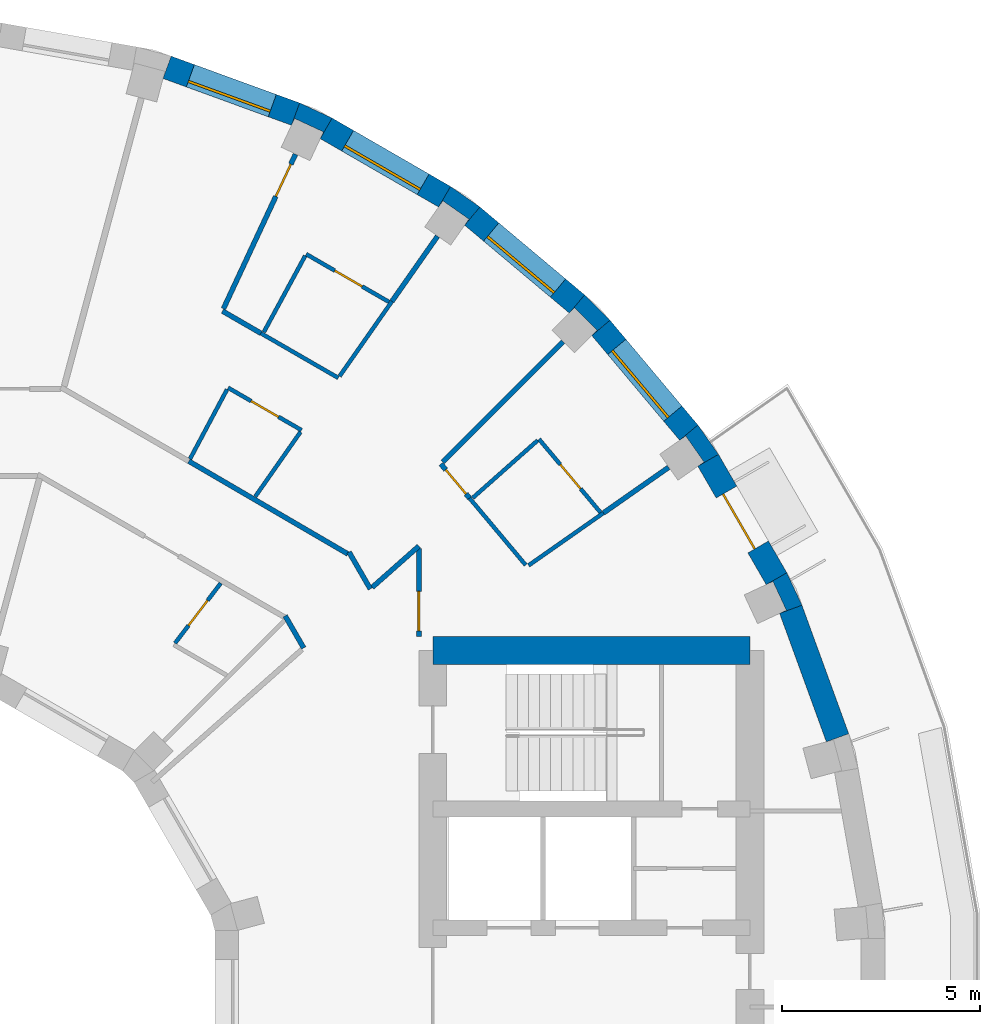
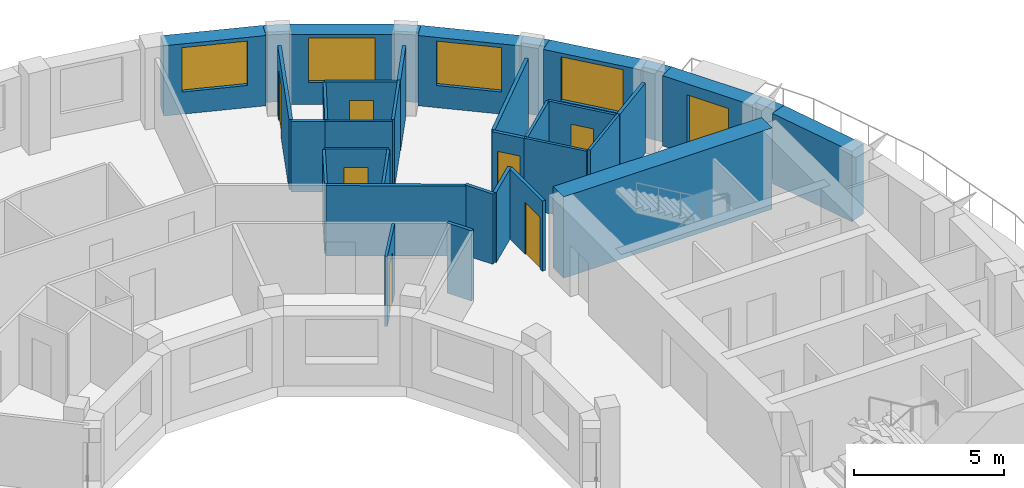
# One storey, part 9 of 11: 35 walls, 8 doors, 4 windows, 12 openings.
"""IFC4 building model written with IfcOpenShell, lengths in metres."""

import ifcopenshell
import ifcopenshell.guid

model = None  # the IFC model being written
_history = None  # IfcOwnerHistory: only IFC2X3 demands one
_inside = {}  # id of a spatial element -> (the spatial element, [elements in it])
_under = {}  # id of a project, library or spatial element -> (it, [spatial elements below it])
_declared = {}  # id of a project -> (the project, [libraries it declares])
_typed = {}  # id of a type object -> (the type object, [elements of that type])
_made_of = {}  # id of a material, layer set ... -> (it, [elements and type objects made of it])


def new_model(schema):
    """Start an empty IFC model of exactly this schema.

    Asked for "IFC4X3", IfcOpenShell would pick the latest addendum, in which some entities
    have other attributes; the version numbers below select the first issue.
    IFC2X3 requires an IfcOwnerHistory on every rooted entity: one is made here for all.
    """
    global model, _history
    if schema == "IFC4X3":
        model = ifcopenshell.file(schema_version=(4, 3, 0, 0))
    else:
        model = ifcopenshell.file(schema=schema)
    _inside.clear()
    _under.clear()
    _declared.clear()
    _typed.clear()
    _made_of.clear()
    _history = None
    if model.schema == "IFC2X3":
        org = make("IfcOrganization", Name="unknown")
        user = make(
            "IfcPersonAndOrganization",
            ThePerson=make("IfcPerson", FamilyName="unknown"),
            TheOrganization=org,
        )
        app = make(
            "IfcApplication",
            ApplicationDeveloper=org,
            Version="unknown",
            ApplicationFullName="unknown",
            ApplicationIdentifier="unknown",
        )
        _history = make(
            "IfcOwnerHistory",
            OwningUser=user,
            OwningApplication=app,
            ChangeAction="ADDED",
            CreationDate=0,
        )
    return model


def make(cls, **values):
    """One entity of the class cls with the attributes given. An attribute that is None is left unset."""
    return model.create_entity(
        cls, **{name: value for name, value in values.items() if value is not None}
    )


def rooted(cls, **values):
    """An entity with a GlobalId (a new one), such as an element, a storey or a relation."""
    return make(cls, GlobalId=ifcopenshell.guid.new(), OwnerHistory=_history, **values)


def si_unit(unit_type, name, prefix=None):
    """IfcSIUnit, for example si_unit("LENGTHUNIT", "METRE", prefix="MILLI")."""
    return make("IfcSIUnit", UnitType=unit_type, Prefix=prefix, Name=name)


def assignment(units):
    """IfcUnitAssignment: the units of a project."""
    return None if units is None else make("IfcUnitAssignment", Units=units)


def point(xyz):
    """IfcCartesianPoint."""
    return None if xyz is None else make("IfcCartesianPoint", Coordinates=xyz)


def direction(xyz):
    """IfcDirection."""
    return None if xyz is None else make("IfcDirection", DirectionRatios=xyz)


def frame(location, z_axis=None, x_axis=None):
    """IfcAxis2Placement3D, a coordinate frame: its origin and axes. An axis left out is left unset."""
    return make(
        "IfcAxis2Placement3D",
        Location=point(location),
        Axis=direction(z_axis),
        RefDirection=direction(x_axis),
    )


def frame_2d(location, x_axis=None):
    """IfcAxis2Placement2D, a coordinate frame in the plane: its origin and x axis."""
    return make(
        "IfcAxis2Placement2D", Location=point(location), RefDirection=direction(x_axis)
    )


def origin():
    """The frame at (0, 0, 0) with its axes left unset."""
    return frame((0.0, 0.0, 0.0))


def place(relative_to, where):
    """IfcLocalPlacement: puts the frame where relative to a parent placement (None: the world)."""
    return make(
        "IfcLocalPlacement", PlacementRelTo=relative_to, RelativePlacement=where
    )


def context(
    kind, dimensions, precision=None, world=None, true_north=None, identifier=None
):
    """IfcGeometricRepresentationContext, for example the 3D "Model" context."""
    return make(
        "IfcGeometricRepresentationContext",
        ContextIdentifier=identifier,
        ContextType=kind,
        CoordinateSpaceDimension=dimensions,
        Precision=precision,
        WorldCoordinateSystem=world,
        TrueNorth=true_north,
    )


def subcontext(parent, identifier, kind, view, scale=None):
    """IfcGeometricRepresentationSubContext, for example "Body" below "Model"."""
    return make(
        "IfcGeometricRepresentationSubContext",
        ContextIdentifier=identifier,
        ContextType=kind,
        ParentContext=parent,
        TargetScale=scale,
        TargetView=view,
    )


def project(units=None, contexts=None):
    """IfcProject with its units and contexts."""
    return rooted(
        "IfcProject",
        Name="project",
        RepresentationContexts=contexts,
        UnitsInContext=assignment(units),
    )


def spatial(cls, under=None, at=None, **own):
    """A site, building, storey or space (cls), placed at a placement, below another one or the project."""
    s = rooted(cls, ObjectPlacement=at, **own)
    if under is not None:
        _under.setdefault(under.id(), (under, []))[1].append(s)
    return s


def polyline(points):
    """IfcPolyline through the points."""
    return make("IfcPolyline", Points=[point(p) for p in points])


def profile(cls, at=None, kind="AREA", **sizes):
    """A parametric profile (cls). Its sizes go by their IFC names, for example OverallWidth=200.0."""
    return make(cls, ProfileType=kind, Position=at, **sizes)


def rectangle(**sizes):
    """IfcRectangleProfileDef."""
    return profile("IfcRectangleProfileDef", **sizes)


def outline(outer, holes=None, kind="AREA"):
    """IfcArbitraryClosedProfileDef: a profile drawn as a closed curve; with holes, ...WithVoids."""
    if holes is None:
        return make("IfcArbitraryClosedProfileDef", ProfileType=kind, OuterCurve=outer)
    return make(
        "IfcArbitraryProfileDefWithVoids",
        ProfileType=kind,
        OuterCurve=outer,
        InnerCurves=holes,
    )


def extrude(swept, where, along, depth):
    """IfcExtrudedAreaSolid: the profile swept, set in the frame where, extruded along a direction by depth."""
    return make(
        "IfcExtrudedAreaSolid",
        SweptArea=swept,
        Position=where,
        ExtrudedDirection=direction(along),
        Depth=depth,
    )


def shape(context_of_items, identifier, shape_type, items):
    """IfcShapeRepresentation: the items that make up one representation, for example the "Body"."""
    return make(
        "IfcShapeRepresentation",
        ContextOfItems=context_of_items,
        RepresentationIdentifier=identifier,
        RepresentationType=shape_type,
        Items=items,
    )


def material(Name=None, Category=None):
    """IfcMaterial."""
    return make("IfcMaterial", Name=Name, Category=Category)


def layer(
    of_material, thickness, ventilated=None, Name=None, Category=None, Priority=None
):
    """IfcMaterialLayer: one layer of a wall or slab, of a material (None: an air gap)."""
    return make(
        "IfcMaterialLayer",
        Material=of_material,
        LayerThickness=thickness,
        IsVentilated=ventilated,
        Name=Name,
        Category=Category,
        Priority=Priority,
    )


def layer_set(layers, Name=None):
    """IfcMaterialLayerSet."""
    return make("IfcMaterialLayerSet", MaterialLayers=layers, LayerSetName=Name)


def made_of(thing, what):
    """Note that an element or type object is made of a material, layer set ...; save() writes the relation."""
    if what is not None:
        _made_of.setdefault(what.id(), (what, []))[1].append(thing)
    return thing


def type_object(cls, material=None, **own):
    """A type object (cls), such as IfcWallType, which elements share."""
    return made_of(rooted(cls, **own), material)


def element(
    cls,
    number,
    at=None,
    inside=None,
    cuts=None,
    type_object=None,
    material=None,
    context=None,
    identifier="Body",
    shape_type=None,
    held_by="IfcProductDefinitionShape",
    body=None,
    shapes=None,
    **own,
):
    """One element of the class cls, such as IfcWall. Its Tag is "e" and its number.

    at: its placement. inside: the storey or other place that contains it. cuts: it is an
    opening in that element (IfcRelVoidsElement). A single representation is given by context,
    identifier, shape_type and body (its items); several are given by shapes. held_by: the class
    of the entity that holds the representations. save() writes the other relations.
    """
    e = rooted(cls, Tag="e%d" % number, ObjectPlacement=at, **own)
    if body is not None:
        shapes = [shape(context, identifier, shape_type, body)]
    if shapes is not None:
        e.Representation = make(held_by, Representations=shapes)
    if inside is not None:
        _inside.setdefault(inside.id(), (inside, []))[1].append(e)
    if cuts is not None:
        rooted(
            "IfcRelVoidsElement", RelatingBuildingElement=cuts, RelatedOpeningElement=e
        )
    if type_object is not None:
        _typed.setdefault(type_object.id(), (type_object, []))[1].append(e)
    return made_of(e, material)


def fill(opening, filler):
    """IfcRelFillsElement: the door or window that sits in an opening."""
    return rooted(
        "IfcRelFillsElement",
        RelatingOpeningElement=opening,
        RelatedBuildingElement=filler,
    )


def aggregate(whole, parts):
    """IfcRelAggregates: a whole, such as a stair, and the parts it consists of."""
    return rooted("IfcRelAggregates", RelatingObject=whole, RelatedObjects=parts)


def save(model, path):
    """Write the relations noted so far, then the file.

    IfcRelAggregates (storeys below a building ...), IfcRelContainedInSpatialStructure (elements
    in a storey), IfcRelDefinesByType, IfcRelAssociatesMaterial and IfcRelDeclares: one each for
    every whole, place, type object, material and project.
    """
    for whole, parts in _under.values():
        aggregate(whole, parts)
    for where, things in _inside.values():
        rooted(
            "IfcRelContainedInSpatialStructure",
            RelatedElements=things,
            RelatingStructure=where,
        )
    for kind, things in _typed.values():
        rooted("IfcRelDefinesByType", RelatedObjects=things, RelatingType=kind)
    for what, things in _made_of.values():
        rooted("IfcRelAssociatesMaterial", RelatedObjects=things, RelatingMaterial=what)
    for by, libraries in _declared.values():
        rooted("IfcRelDeclares", RelatingContext=by, RelatedDefinitions=libraries)
    model.write(path)


model = new_model("IFC4")

# Units and contexts
model_context = context("Model", 3, precision=1e-05, world=origin(), true_north=direction((0.0, 1.0)))
body_context = subcontext(model_context, "Body", "Model", "MODEL_VIEW")
ifc_project = project(units=[si_unit("LENGTHUNIT", "METRE"), si_unit("AREAUNIT", "SQUARE_METRE"), si_unit("VOLUMEUNIT", "CUBIC_METRE"), si_unit("PLANEANGLEUNIT", "RADIAN"), si_unit("MASSUNIT", "GRAM", prefix="KILO")], contexts=[model_context])

# Site, building, storey
site_placement = place(None, origin())
site = spatial("IfcSite", under=ifc_project, at=site_placement, CompositionType="ELEMENT")
building_placement = place(site_placement, origin())
building = spatial("IfcBuilding", under=site, at=building_placement, Name="Saqina Gate Tower", CompositionType="ELEMENT")
storey_placement = place(building_placement, frame((0.0, 0.0, 180.60009765625)))
storey = spatial("IfcBuildingStorey", under=building, at=storey_placement, Name="L51", CompositionType="ELEMENT", Elevation=180.60009765625)

# Walls
ifc_material_1 = material(Name="Brick masonry (buff)", Category="masonry")
wall_type_1 = type_object("IfcWallType", Name="BRICK PIER COPING BUFF", PredefinedType="SOLIDWALL", material=ifc_material_1)
wall_1_placement = place(storey_placement, origin())
element("IfcWall", 1, at=wall_1_placement, inside=storey, type_object=wall_type_1, Name="Pier cap L51 column 3", PredefinedType="SOLIDWALL", context=body_context, shape_type="SweptSolid", body=[
    extrude(outline(polyline([(22.4306640625, 10.958740234375), (21.9111328125, 10.65869140625), (22.080810546875, 10.73779296875), (22.4189453125, 10.0126953125), (22.249267578125, 9.93359375), (22.81298828125, 10.138916015625), (22.4306640625, 10.958740234375)])), origin(), (0.0, 0.0, 1.0), 2.849853515625),
])
wall_2_placement = place(storey_placement, origin())
element("IfcWall", 2, at=wall_2_placement, inside=storey, type_object=wall_type_1, Name="Pier cap L51 column 4", PredefinedType="SOLIDWALL", context=body_context, shape_type="SweptSolid", body=[
    extrude(outline(polyline([(20.705810546875, 13.9462890625), (20.18701171875, 14.687255859375), (19.727294921875, 14.301513671875), (19.880859375, 14.408935546875), (20.339599609375, 13.753662109375), (20.186279296875, 13.646240234375), (20.705810546875, 13.9462890625)])), origin(), (0.0, 0.0, 1.0), 2.849853515625),
])
wall_3_placement = place(storey_placement, origin())
element("IfcWall", 3, at=wall_3_placement, inside=storey, type_object=wall_type_1, Name="Pier cap L51 column 5", PredefinedType="SOLIDWALL", context=body_context, shape_type="SweptSolid", body=[
    extrude(outline(polyline([(17.329833984375, 17.969482421875), (16.944091796875, 17.510009765625), (17.07666015625, 17.642333984375), (17.642333984375, 17.07666015625), (17.510009765625, 16.944091796875), (17.969482421875, 17.329833984375), (17.329833984375, 17.969482421875)])), origin(), (0.0, 0.0, 1.0), 2.849853515625),
])
wall_4_placement = place(storey_placement, origin())
element("IfcWall", 4, at=wall_4_placement, inside=storey, type_object=wall_type_1, Name="Pier cap L51 column 6", PredefinedType="SOLIDWALL", context=body_context, shape_type="SweptSolid", body=[
    extrude(outline(polyline([(14.687255859375, 20.18701171875), (13.9462890625, 20.705810546875), (13.646240234375, 20.186279296875), (13.753662109375, 20.339599609375), (14.408935546875, 19.880859375), (14.301513671875, 19.727294921875), (14.687255859375, 20.18701171875)])), origin(), (0.0, 0.0, 1.0), 2.849853515625),
])
wall_5_placement = place(storey_placement, origin())
element("IfcWall", 5, at=wall_5_placement, inside=storey, type_object=wall_type_1, Name="Pier cap L51 column 7", PredefinedType="SOLIDWALL", context=body_context, shape_type="SweptSolid", body=[
    extrude(outline(polyline([(10.138916015625, 22.81298828125), (9.93359375, 22.249267578125), (10.0126953125, 22.4189453125), (10.73779296875, 22.080810546875), (10.65869140625, 21.9111328125), (10.958740234375, 22.4306640625), (10.138916015625, 22.81298828125)])), origin(), (0.0, 0.0, 1.0), 2.849853515625),
])

# Wall, opening, door
ifc_material_2 = material(Name="Brick masonry (buff)", Category="masonry")
ifc_layer_1 = layer(ifc_material_2, 0.60009765625)
ifc_layer_set_1 = layer_set([ifc_layer_1], Name="FW-BRICK-BUFF")
wall_type_2 = type_object("IfcWallType", Name="FW-BRICK-BUFF", PredefinedType="SOLIDWALL", material=ifc_layer_set_1)
wall_6_placement = place(storey_placement, frame((22.1708984375, 10.80859375, 0.0), z_axis=(0.0, 0.0, 1.0), x_axis=(-0.499998129301, 0.86602648383, 0.0)))
wall_6 = element("IfcWall", 6, at=wall_6_placement, inside=storey, type_object=wall_type_2, Name="Facade wall L51 facet 3", PredefinedType="SOLIDWALL", context=body_context, shape_type="SweptSolid", body=[
    extrude(rectangle(XDim=3.44970703125, YDim=0.60009765625, at=frame_2d((1.724853515625, 0.0))), origin(), (0.0, 0.0, 1.0), 2.849853515625),
])
opening_1_placement = place(wall_6_placement, frame((0.9248046875, 0.0, 0.0)))
opening_1 = element("IfcOpeningElement", 7, at=opening_1_placement, cuts=wall_6, Name="Opening G15-D80", PredefinedType="OPENING", context=body_context, shape_type="SweptSolid", body=[
    extrude(rectangle(XDim=1.60009765625, YDim=2.39990234375, at=frame_2d((0.800048828125, 1.199951171875))), frame((0.0, 0.31201171875, 0.0), z_axis=(0.0, -1.0, 0.0), x_axis=(1.0, 0.0, 0.0)), (0.0, 0.0, 1.0), 0.6240234375),
])
ifc_material_3 = material(Name="Aluminium glazing", Category="aluminium")
door_type_1 = type_object("IfcDoorType", Name="GD-C", OperationType="DOUBLE_DOOR_SINGLE_SWING", PredefinedType="DOOR", material=ifc_material_3)
door_1_placement = place(opening_1_placement, origin())
door_1 = element("IfcDoor", 8, at=door_1_placement, inside=storey, type_object=door_type_1, Name="Terrace door L51 facet 3", OperationType="DOUBLE_DOOR_SINGLE_SWING", OverallHeight=2.39990234375, OverallWidth=1.60009765625, PredefinedType="DOOR", context=body_context, shape_type="SweptSolid", body=[
    extrude(rectangle(XDim=1.60009765625, YDim=2.39990234375, at=frame_2d((0.800048828125, 1.199951171875))), frame((0.0, 0.125, 0.0), z_axis=(0.0, -1.0, 0.0), x_axis=(1.0, 0.0, 0.0)), (0.0, 0.0, 1.0), 0.050048828125),
])
fill(opening_1, door_1)

# Wall, opening, window
wall_7_placement = place(storey_placement, frame((19.95703125, 14.494384765625, 0.0), z_axis=(0.0, 0.0, 1.0), x_axis=(-0.642770398358, 0.766058884809, 0.0)))
wall_7 = element("IfcWall", 9, at=wall_7_placement, inside=storey, type_object=wall_type_2, Name="Facade wall L51 facet 4", PredefinedType="SOLIDWALL", context=body_context, shape_type="SweptSolid", body=[
    extrude(rectangle(XDim=3.449462890625, YDim=0.60009765625, at=frame_2d((1.724609375, 0.0))), origin(), (0.0, 0.0, 1.0), 2.849853515625),
])
opening_2_placement = place(wall_7_placement, frame((0.625, 0.0, 0.89990234375)))
opening_2 = element("IfcOpeningElement", 10, at=opening_2_placement, cuts=wall_7, Name="Opening G15-W01", PredefinedType="OPENING", context=body_context, shape_type="SweptSolid", body=[
    extrude(rectangle(XDim=2.199951171875, YDim=1.800048828125, at=frame_2d((1.10009765625, 0.89990234375))), frame((0.0, 0.31201171875, 0.0), z_axis=(0.0, -1.0, 0.0), x_axis=(1.0, 0.0, 0.0)), (0.0, 0.0, 1.0), 0.6240234375),
])
ifc_material_4 = material(Name="Aluminium glazing", Category="aluminium")
window_type = type_object("IfcWindowType", Name="WN-C", PartitioningType="SINGLE_PANEL", PredefinedType="WINDOW", material=ifc_material_4)
window_1_placement = place(opening_2_placement, origin())
window_1 = element("IfcWindow", 11, at=window_1_placement, inside=storey, type_object=window_type, Name="Window L51 facet 4", OverallHeight=1.800048828125, OverallWidth=2.199951171875, PartitioningType="SINGLE_PANEL", PredefinedType="WINDOW", context=body_context, shape_type="SweptSolid", body=[
    extrude(rectangle(XDim=2.199951171875, YDim=1.800048828125, at=frame_2d((1.10009765625, 0.89990234375))), frame((0.0, 0.179931640625, 0.0), z_axis=(0.0, -1.0, 0.0), x_axis=(1.0, 0.0, 0.0)), (0.0, 0.0, 1.0), 0.06005859375),
])
fill(opening_2, window_1)

wall_8_placement = place(storey_placement, frame((17.136962890625, 17.73974609375, 0.0), z_axis=(0.0, 0.0, 1.0), x_axis=(-0.766058884809, 0.642770398358, 0.0)))
wall_8 = element("IfcWall", 12, at=wall_8_placement, inside=storey, type_object=wall_type_2, Name="Facade wall L51 facet 5", PredefinedType="SOLIDWALL", context=body_context, shape_type="SweptSolid", body=[
    extrude(rectangle(XDim=3.449462890625, YDim=0.60009765625, at=frame_2d((1.724609375, 0.0))), origin(), (0.0, 0.0, 1.0), 2.849853515625),
])
opening_3_placement = place(wall_8_placement, frame((0.625, 0.0, 0.89990234375)))
opening_3 = element("IfcOpeningElement", 13, at=opening_3_placement, cuts=wall_8, Name="Opening G15-W02", PredefinedType="OPENING", context=body_context, shape_type="SweptSolid", body=[
    extrude(rectangle(XDim=2.199951171875, YDim=1.800048828125, at=frame_2d((1.10009765625, 0.89990234375))), frame((0.0, 0.31201171875, 0.0), z_axis=(0.0, -1.0, 0.0), x_axis=(1.0, 0.0, 0.0)), (0.0, 0.0, 1.0), 0.6240234375),
])
window_2_placement = place(opening_3_placement, origin())
window_2 = element("IfcWindow", 14, at=window_2_placement, inside=storey, type_object=window_type, Name="Window L51 facet 5", OverallHeight=1.800048828125, OverallWidth=2.199951171875, PartitioningType="SINGLE_PANEL", PredefinedType="WINDOW", context=body_context, shape_type="SweptSolid", body=[
    extrude(rectangle(XDim=2.199951171875, YDim=1.800048828125, at=frame_2d((1.10009765625, 0.89990234375))), frame((0.0, 0.179931640625, 0.0), z_axis=(0.0, -1.0, 0.0), x_axis=(1.0, 0.0, 0.0)), (0.0, 0.0, 1.0), 0.06005859375),
])
fill(opening_3, window_2)

wall_9_placement = place(storey_placement, frame((13.796142578125, 20.446044921875, 0.0), z_axis=(0.0, 0.0, 1.0), x_axis=(-0.86602648383, 0.499998129301, 0.0)))
wall_9 = element("IfcWall", 15, at=wall_9_placement, inside=storey, type_object=wall_type_2, Name="Facade wall L51 facet 6", PredefinedType="SOLIDWALL", context=body_context, shape_type="SweptSolid", body=[
    extrude(rectangle(XDim=3.44970703125, YDim=0.60009765625, at=frame_2d((1.724853515625, 0.0))), origin(), (0.0, 0.0, 1.0), 2.849853515625),
])
opening_4_placement = place(wall_9_placement, frame((0.625, 0.0, 0.89990234375)))
opening_4 = element("IfcOpeningElement", 16, at=opening_4_placement, cuts=wall_9, Name="Opening G15-W03", PredefinedType="OPENING", context=body_context, shape_type="SweptSolid", body=[
    extrude(rectangle(XDim=2.199951171875, YDim=1.800048828125, at=frame_2d((1.10009765625, 0.89990234375))), frame((0.0, 0.31201171875, 0.0), z_axis=(0.0, -1.0, 0.0), x_axis=(1.0, 0.0, 0.0)), (0.0, 0.0, 1.0), 0.6240234375),
])
window_3_placement = place(opening_4_placement, origin())
window_3 = element("IfcWindow", 17, at=window_3_placement, inside=storey, type_object=window_type, Name="Window L51 facet 6", OverallHeight=1.800048828125, OverallWidth=2.199951171875, PartitioningType="SINGLE_PANEL", PredefinedType="WINDOW", context=body_context, shape_type="SweptSolid", body=[
    extrude(rectangle(XDim=2.199951171875, YDim=1.800048828125, at=frame_2d((1.10009765625, 0.89990234375))), frame((0.0, 0.179931640625, 0.0), z_axis=(0.0, -1.0, 0.0), x_axis=(1.0, 0.0, 0.0)), (0.0, 0.0, 1.0), 0.06005859375),
])
fill(opening_4, window_3)

wall_10_placement = place(storey_placement, frame((10.0361328125, 22.531005859375, 0.0), z_axis=(0.0, 0.0, 1.0), x_axis=(-0.93968799822, 0.342032843455, 0.0)))
wall_10 = element("IfcWall", 18, at=wall_10_placement, inside=storey, type_object=wall_type_2, Name="Facade wall L51 facet 7", PredefinedType="SOLIDWALL", context=body_context, shape_type="SweptSolid", body=[
    extrude(rectangle(XDim=3.44970703125, YDim=0.60009765625, at=frame_2d((1.724853515625, 0.0))), origin(), (0.0, 0.0, 1.0), 2.849853515625),
])
opening_5_placement = place(wall_10_placement, frame((0.625, 0.0, 0.89990234375)))
opening_5 = element("IfcOpeningElement", 19, at=opening_5_placement, cuts=wall_10, Name="Opening G15-W04", PredefinedType="OPENING", context=body_context, shape_type="SweptSolid", body=[
    extrude(rectangle(XDim=2.199951171875, YDim=1.800048828125, at=frame_2d((1.10009765625, 0.89990234375))), frame((0.0, 0.31201171875, 0.0), z_axis=(0.0, -1.0, 0.0), x_axis=(1.0, 0.0, 0.0)), (0.0, 0.0, 1.0), 0.6240234375),
])
window_4_placement = place(opening_5_placement, origin())
window_4 = element("IfcWindow", 20, at=window_4_placement, inside=storey, type_object=window_type, Name="Window L51 facet 7", OverallHeight=1.800048828125, OverallWidth=2.199951171875, PartitioningType="SINGLE_PANEL", PredefinedType="WINDOW", context=body_context, shape_type="SweptSolid", body=[
    extrude(rectangle(XDim=2.199951171875, YDim=1.800048828125, at=frame_2d((1.10009765625, 0.89990234375))), frame((0.0, 0.179931640625, 0.0), z_axis=(0.0, -1.0, 0.0), x_axis=(1.0, 0.0, 0.0)), (0.0, 0.0, 1.0), 0.06005859375),
])
fill(opening_5, window_4)

# Walls
ifc_material_5 = material(Name="Glazed ceramic tile", Category="ceramic")
ifc_layer_2 = layer(ifc_material_5, 0.60009765625)
ifc_layer_set_2 = layer_set([ifc_layer_2], Name="FW-TILE")
wall_type_3 = type_object("IfcWallType", Name="FW-TILE", PredefinedType="SOLIDWALL", material=ifc_layer_set_2)
wall_11_placement = place(storey_placement, frame((23.7109375, 6.79443359375, 0.0), z_axis=(0.0, 0.0, 1.0), x_axis=(-0.342032843455, 0.93968799822, 0.0)))
element("IfcWall", 21, at=wall_11_placement, inside=storey, type_object=wall_type_3, Name="Facade wall L51 facet 2", PredefinedType="SOLIDWALL", context=body_context, shape_type="SweptSolid", body=[
    extrude(rectangle(XDim=3.44970703125, YDim=0.60009765625, at=frame_2d((1.724853515625, 0.0))), origin(), (0.0, 0.0, 1.0), 2.849853515625),
])
ifc_material_6 = material(Name="Gypsum board on steel studs, 100 mm", Category="steel")
ifc_layer_3 = layer(ifc_material_6, 0.10009765625)
ifc_layer_set_3 = layer_set([ifc_layer_3], Name="PARTITION 100")
wall_type_4 = type_object("IfcWallType", Name="PARTITION 100", PredefinedType="PARTITIONING", material=ifc_layer_set_3)
wall_12_placement = place(storey_placement, frame((14.425048828125, 12.84228515625, 0.0), z_axis=(0.0, 0.0, 1.0), x_axis=(0.642729690631, -0.766093039246, 0.0)))
element("IfcWall", 22, at=wall_12_placement, inside=storey, type_object=wall_type_4, Name="PARTITION PW3-12", PredefinedType="PARTITIONING", context=body_context, shape_type="SweptSolid", body=[
    extrude(rectangle(XDim=2.20458984375, YDim=0.10009765625, at=frame_2d((1.102294921875, 0.0))), origin(), (0.0, 0.0, 1.0), 2.849853515625),
])

# Wall, opening, door
wall_13_placement = place(storey_placement, frame((16.178955078125, 14.3291015625, 0.0), z_axis=(0.0, 0.0, 1.0), x_axis=(0.64280558307, -0.7660293613, 0.0)))
wall_13 = element("IfcWall", 23, at=wall_13_placement, inside=storey, type_object=wall_type_4, Name="PARTITION PW3-13", PredefinedType="PARTITIONING", context=body_context, shape_type="SweptSolid", body=[
    extrude(rectangle(XDim=2.415283203125, YDim=0.10009765625, at=frame_2d((1.20751953125, 0.0))), origin(), (0.0, 0.0, 1.0), 2.849853515625),
])
opening_6_placement = place(wall_13_placement, frame((0.83349609375, 0.0, 0.0)))
opening_6 = element("IfcOpeningElement", 24, at=opening_6_placement, cuts=wall_13, Name="Opening G15-D02", PredefinedType="OPENING", context=body_context, shape_type="SweptSolid", body=[
    extrude(rectangle(XDim=0.800048828125, YDim=2.10009765625, at=frame_2d((0.39990234375, 1.050048828125))), frame((0.0, 0.06201171875, 0.0), z_axis=(0.0, -1.0, 0.0), x_axis=(1.0, 0.0, 0.0)), (0.0, 0.0, 1.0), 0.1240234375),
])
ifc_material_7 = material(Name="Timber door leaf, 800 mm", Category="wood")
door_type_2 = type_object("IfcDoorType", Name="DOOR 800 TIMBER", OperationType="SINGLE_SWING_LEFT", PredefinedType="DOOR", material=ifc_material_7)
door_2_placement = place(opening_6_placement, origin())
door_2 = element("IfcDoor", 25, at=door_2_placement, inside=storey, type_object=door_type_2, Name="DOOR G15-D02", OperationType="SINGLE_SWING_RIGHT", OverallHeight=2.10009765625, OverallWidth=0.800048828125, PredefinedType="DOOR", context=body_context, shape_type="SweptSolid", body=[
    extrude(rectangle(XDim=0.800048828125, YDim=2.10009765625, at=frame_2d((0.39990234375, 1.050048828125))), frame((0.0, 0.02490234375, 0.0), z_axis=(0.0, -1.0, 0.0), x_axis=(1.0, 0.0, 0.0)), (0.0, 0.0, 1.0), 0.050048828125),
])
fill(opening_6, door_2)

wall_14_placement = place(storey_placement, frame((8.332763671875, 15.626953125, 0.0), z_axis=(0.0, 0.0, 1.0), x_axis=(0.866024183959, -0.500002112793, 0.0)))
wall_14 = element("IfcWall", 26, at=wall_14_placement, inside=storey, type_object=wall_type_4, Name="PARTITION PW3-25", PredefinedType="PARTITIONING", context=body_context, shape_type="SweptSolid", body=[
    extrude(rectangle(XDim=2.14111328125, YDim=0.10009765625, at=frame_2d((1.070556640625, 0.0))), origin(), (0.0, 0.0, 1.0), 2.849853515625),
])
opening_7_placement = place(wall_14_placement, frame((0.67041015625, 0.0, 0.0)))
opening_7 = element("IfcOpeningElement", 27, at=opening_7_placement, cuts=wall_14, Name="Opening G15-D06", PredefinedType="OPENING", context=body_context, shape_type="SweptSolid", body=[
    extrude(rectangle(XDim=0.800048828125, YDim=2.10009765625, at=frame_2d((0.39990234375, 1.050048828125))), frame((0.0, 0.06201171875, 0.0), z_axis=(0.0, -1.0, 0.0), x_axis=(1.0, 0.0, 0.0)), (0.0, 0.0, 1.0), 0.1240234375),
])
door_3_placement = place(opening_7_placement, origin())
door_3 = element("IfcDoor", 28, at=door_3_placement, inside=storey, type_object=door_type_2, Name="DOOR G15-D06", OperationType="SINGLE_SWING_LEFT", OverallHeight=2.10009765625, OverallWidth=0.800048828125, PredefinedType="DOOR", context=body_context, shape_type="SweptSolid", body=[
    extrude(rectangle(XDim=0.800048828125, YDim=2.10009765625, at=frame_2d((0.39990234375, 1.050048828125))), frame((0.0, 0.02490234375, 0.0), z_axis=(0.0, -1.0, 0.0), x_axis=(1.0, 0.0, 0.0)), (0.0, 0.0, 1.0), 0.050048828125),
])
fill(opening_7, door_3)

# Wall
wall_15_placement = place(storey_placement, frame((9.16259765625, 17.0009765625, 0.0), z_axis=(0.0, 0.0, 1.0), x_axis=(0.866073680794, -0.499916372443, 0.0)))
element("IfcWall", 29, at=wall_15_placement, inside=storey, type_object=wall_type_4, Name="PARTITION PW3-26", PredefinedType="PARTITIONING", context=body_context, shape_type="SweptSolid", body=[
    extrude(rectangle(XDim=2.25244140625, YDim=0.10009765625, at=frame_2d((1.126220703125, 0.0))), origin(), (0.0, 0.0, 1.0), 2.849853515625),
])

# Wall, opening, door
wall_16_placement = place(storey_placement, frame((10.302978515625, 18.9990234375, 0.0), z_axis=(0.0, 0.0, 1.0), x_axis=(0.865870907928, -0.500267499248, 0.0)))
wall_16 = element("IfcWall", 30, at=wall_16_placement, inside=storey, type_object=wall_type_4, Name="PARTITION PW3-27", PredefinedType="PARTITIONING", context=body_context, shape_type="SweptSolid", body=[
    extrude(rectangle(XDim=2.416748046875, YDim=0.10009765625, at=frame_2d((1.20849609375, 0.0))), origin(), (0.0, 0.0, 1.0), 2.849853515625),
])
opening_8_placement = place(wall_16_placement, frame((0.83349609375, 0.0, 0.0)))
opening_8 = element("IfcOpeningElement", 31, at=opening_8_placement, cuts=wall_16, Name="Opening G15-D05", PredefinedType="OPENING", context=body_context, shape_type="SweptSolid", body=[
    extrude(rectangle(XDim=0.800048828125, YDim=2.10009765625, at=frame_2d((0.39990234375, 1.050048828125))), frame((0.0, 0.06201171875, 0.0), z_axis=(0.0, -1.0, 0.0), x_axis=(1.0, 0.0, 0.0)), (0.0, 0.0, 1.0), 0.1240234375),
])
door_4_placement = place(opening_8_placement, origin())
door_4 = element("IfcDoor", 32, at=door_4_placement, inside=storey, type_object=door_type_2, Name="DOOR G15-D05", OperationType="SINGLE_SWING_RIGHT", OverallHeight=2.10009765625, OverallWidth=0.800048828125, PredefinedType="DOOR", context=body_context, shape_type="SweptSolid", body=[
    extrude(rectangle(XDim=0.800048828125, YDim=2.10009765625, at=frame_2d((0.39990234375, 1.050048828125))), frame((0.0, 0.02490234375, 0.0), z_axis=(0.0, -1.0, 0.0), x_axis=(1.0, 0.0, 0.0)), (0.0, 0.0, 1.0), 0.050048828125),
])
fill(opening_8, door_4)

# Walls
wall_17_placement = place(storey_placement, frame((15.9150390625, 11.143798828125, 0.0), z_axis=(0.0, 0.0, 1.0), x_axis=(0.819157380539, 0.573568815321, 0.0)))
element("IfcWall", 33, at=wall_17_placement, inside=storey, type_object=wall_type_4, Name="PARTITION PW3-44", PredefinedType="PARTITIONING", context=body_context, shape_type="SweptSolid", body=[
    extrude(rectangle(XDim=2.308349609375, YDim=0.10009765625, at=frame_2d((1.154296875, 0.0))), origin(), (0.0, 0.0, 1.0), 2.849853515625),
])
wall_18_placement = place(storey_placement, frame((14.50390625, 12.845458984375, 0.0), z_axis=(0.0, 0.0, 1.0), x_axis=(0.748608753718, 0.663012016374, 0.0)))
element("IfcWall", 34, at=wall_18_placement, inside=storey, type_object=wall_type_4, Name="PARTITION PW3-47", PredefinedType="PARTITIONING", context=body_context, shape_type="SweptSolid", body=[
    extrude(rectangle(XDim=2.187744140625, YDim=0.10009765625, at=frame_2d((1.09375, 0.0))), origin(), (0.0, 0.0, 1.0), 2.849853515625),
])

# Wall, opening, door
wall_19_placement = place(storey_placement, frame((6.995361328125, 9.181884765625, 0.0), z_axis=(0.0, 0.0, 1.0), x_axis=(0.606016164932, 0.795452329081, 0.0)))
wall_19 = element("IfcWall", 35, at=wall_19_placement, inside=storey, type_object=wall_type_4, Name="PARTITION PW3-55", PredefinedType="PARTITIONING", context=body_context, shape_type="SweptSolid", body=[
    extrude(rectangle(XDim=1.903564453125, YDim=0.10009765625, at=frame_2d((0.95166015625, 0.0))), origin(), (0.0, 0.0, 1.0), 2.849853515625),
])
opening_9_placement = place(wall_19_placement, frame((0.55810546875, 0.0, 0.0)))
opening_9 = element("IfcOpeningElement", 36, at=opening_9_placement, cuts=wall_19, Name="Opening G15-D04", PredefinedType="OPENING", context=body_context, shape_type="SweptSolid", body=[
    extrude(rectangle(XDim=0.800048828125, YDim=2.10009765625, at=frame_2d((0.39990234375, 1.050048828125))), frame((0.0, 0.06201171875, 0.0), z_axis=(0.0, -1.0, 0.0), x_axis=(1.0, 0.0, 0.0)), (0.0, 0.0, 1.0), 0.1240234375),
])
door_5_placement = place(opening_9_placement, origin())
door_5 = element("IfcDoor", 37, at=door_5_placement, inside=storey, type_object=door_type_2, Name="DOOR G15-D04", OperationType="SINGLE_SWING_RIGHT", OverallHeight=2.10009765625, OverallWidth=0.800048828125, PredefinedType="DOOR", context=body_context, shape_type="SweptSolid", body=[
    extrude(rectangle(XDim=0.800048828125, YDim=2.10009765625, at=frame_2d((0.39990234375, 1.050048828125))), frame((0.0, 0.02490234375, 0.0), z_axis=(0.0, -1.0, 0.0), x_axis=(1.0, 0.0, 0.0)), (0.0, 0.0, 1.0), 0.050048828125),
])
fill(opening_9, door_5)

# Walls
wall_20_placement = place(storey_placement, frame((11.147216796875, 15.91845703125, 0.0), z_axis=(0.0, 0.0, 1.0), x_axis=(0.573270276117, 0.819366334749, 0.0)))
element("IfcWall", 38, at=wall_20_placement, inside=storey, type_object=wall_type_4, Name="PARTITION PW3-56", PredefinedType="PARTITIONING", context=body_context, shape_type="SweptSolid", body=[
    extrude(rectangle(XDim=2.303466796875, YDim=0.10009765625, at=frame_2d((1.15185546875, 0.0))), origin(), (0.0, 0.0, 1.0), 2.849853515625),
])
wall_21_placement = place(storey_placement, frame((9.017822265625, 12.879150390625, 0.0), z_axis=(0.0, 0.0, 1.0), x_axis=(0.573717150032, 0.819053497495, 0.0)))
element("IfcWall", 39, at=wall_21_placement, inside=storey, type_object=wall_type_4, Name="PARTITION PW3-57", PredefinedType="PARTITIONING", context=body_context, shape_type="SweptSolid", body=[
    extrude(rectangle(XDim=1.9931640625, YDim=0.10009765625, at=frame_2d((0.99658203125, 0.0))), origin(), (0.0, 0.0, 1.0), 2.849853515625),
])
wall_22_placement = place(storey_placement, frame((9.23583984375, 17.031005859375, 0.0), z_axis=(0.0, 0.0, 1.0), x_axis=(0.476638861042, 0.87909919585, 0.0)))
element("IfcWall", 40, at=wall_22_placement, inside=storey, type_object=wall_type_4, Name="PARTITION PW3-58", PredefinedType="PARTITIONING", context=body_context, shape_type="SweptSolid", body=[
    extrude(rectangle(XDim=2.188720703125, YDim=0.10009765625, at=frame_2d((1.09423828125, 0.0))), origin(), (0.0, 0.0, 1.0), 2.849853515625),
])
wall_23_placement = place(storey_placement, frame((7.37353515625, 13.8310546875, 0.0), z_axis=(0.0, 0.0, 1.0), x_axis=(0.470274863267, 0.882520001461, 0.0)))
element("IfcWall", 41, at=wall_23_placement, inside=storey, type_object=wall_type_4, Name="PARTITION PW3-59", PredefinedType="PARTITIONING", context=body_context, shape_type="SweptSolid", body=[
    extrude(rectangle(XDim=1.981689453125, YDim=0.10009765625, at=frame_2d((0.99072265625, 0.0))), origin(), (0.0, 0.0, 1.0), 2.849853515625),
])
ifc_material_8 = material(Name="Gypsum board on steel studs, 125 mm, fire rated", Category="steel")
ifc_layer_4 = layer(ifc_material_8, 0.125)
ifc_layer_set_4 = layer_set([ifc_layer_4], Name="PARTITION EI 30 125")
wall_type_5 = type_object("IfcWallType", Name="PARTITION EI 30 125", PredefinedType="PARTITIONING", material=ifc_layer_set_4)
wall_24_placement = place(storey_placement, frame((11.384033203125, 11.482421875, 0.0), z_axis=(0.0, 0.0, 1.0), x_axis=(0.500016891966, -0.866015650984, 0.0)))
element("IfcWall", 42, at=wall_24_placement, inside=storey, type_object=wall_type_5, Name="PARTITION PW1-03", PredefinedType="PARTITIONING", context=body_context, shape_type="SweptSolid", body=[
    extrude(rectangle(XDim=1.07666015625, YDim=0.125, at=frame_2d((0.538330078125, 0.0))), origin(), (0.0, 0.0, 1.0), 2.849853515625),
])
wall_25_placement = place(storey_placement, frame((9.77294921875, 9.871337890625, 0.0), z_axis=(0.0, 0.0, 1.0), x_axis=(0.501046552025, -0.865420332962, 0.0)))
element("IfcWall", 43, at=wall_25_placement, inside=storey, type_object=wall_type_5, Name="PARTITION PW1-05", PredefinedType="PARTITIONING", context=body_context, shape_type="SweptSolid", body=[
    extrude(rectangle(XDim=0.93603515625, YDim=0.125, at=frame_2d((0.468017578125, 0.0))), origin(), (0.0, 0.0, 1.0), 2.849853515625),
])

# Wall, opening, door
wall_26_placement = place(storey_placement, frame((13.702880859375, 13.702880859375, 0.0), z_axis=(0.0, 0.0, 1.0), x_axis=(0.642682228496, -0.766132856087, 0.0)))
wall_26 = element("IfcWall", 44, at=wall_26_placement, inside=storey, type_object=wall_type_5, Name="PARTITION PW1-07", PredefinedType="PARTITIONING", context=body_context, shape_type="SweptSolid", body=[
    extrude(rectangle(XDim=1.123291015625, YDim=0.125, at=frame_2d((0.5615234375, 0.0))), origin(), (0.0, 0.0, 1.0), 2.849853515625),
])
opening_10_placement = place(wall_26_placement, frame((0.1875, 0.0, 0.0)))
opening_10 = element("IfcOpeningElement", 45, at=opening_10_placement, cuts=wall_26, Name="Opening G15-D03", PredefinedType="OPENING", context=body_context, shape_type="SweptSolid", body=[
    extrude(rectangle(XDim=0.800048828125, YDim=2.10009765625, at=frame_2d((0.39990234375, 1.050048828125))), frame((0.0, 0.074462890625, 0.0), z_axis=(0.0, -1.0, 0.0), x_axis=(1.0, 0.0, 0.0)), (0.0, 0.0, 1.0), 0.14892578125),
])
ifc_material_9 = material(Name="Fire door leaf EI 30, 800 mm")
door_type_3 = type_object("IfcDoorType", Name="DOOR 800 EI 30", OperationType="SINGLE_SWING_LEFT", PredefinedType="DOOR", material=ifc_material_9)
door_6_placement = place(opening_10_placement, frame((0.800048828125, 0.0, 0.0), z_axis=(0.0, 0.0, 1.0), x_axis=(-1.0, 0.0, 0.0)))
door_6 = element("IfcDoor", 46, at=door_6_placement, inside=storey, type_object=door_type_3, Name="DOOR G15-D03", OperationType="SINGLE_SWING_LEFT", OverallHeight=2.10009765625, OverallWidth=0.800048828125, PredefinedType="DOOR", context=body_context, shape_type="SweptSolid", body=[
    extrude(rectangle(XDim=0.800048828125, YDim=2.10009765625, at=frame_2d((0.39990234375, 1.050048828125))), frame((0.0, 0.02490234375, 0.0), z_axis=(0.0, -1.0, 0.0), x_axis=(1.0, 0.0, 0.0)), (0.0, 0.0, 1.0), 0.050048828125),
])
fill(opening_10, door_6)

# Walls
wall_27_placement = place(storey_placement, frame((7.3427734375, 13.774169921875, 0.0), z_axis=(0.0, 0.0, 1.0), x_axis=(0.86377127644, -0.503884095796, 0.0)))
element("IfcWall", 47, at=wall_27_placement, inside=storey, type_object=wall_type_5, Name="PARTITION PW1-13", PredefinedType="PARTITIONING", context=body_context, shape_type="SweptSolid", body=[
    extrude(rectangle(XDim=4.6455078125, YDim=0.125, at=frame_2d((2.32275390625, 0.0))), origin(), (0.0, 0.0, 1.0), 2.849853515625),
])
wall_28_placement = place(storey_placement, frame((8.19189453125, 17.561767578125, 0.0), z_axis=(0.0, 0.0, 1.0), x_axis=(0.865888132195, -0.500237686029, 0.0)))
element("IfcWall", 48, at=wall_28_placement, inside=storey, type_object=wall_type_5, Name="PARTITION PW1-18", PredefinedType="PARTITIONING", context=body_context, shape_type="SweptSolid", body=[
    extrude(rectangle(XDim=1.12109375, YDim=0.125, at=frame_2d((0.560546875, 0.0))), origin(), (0.0, 0.0, 1.0), 2.849853515625),
])
wall_29_placement = place(storey_placement, frame((17.805908203125, 12.4677734375, 0.0), z_axis=(0.0, 0.0, 1.0), x_axis=(0.819060101024, 0.573707722548, 0.0)))
element("IfcWall", 49, at=wall_29_placement, inside=storey, type_object=wall_type_5, Name="PARTITION PW1-28", PredefinedType="PARTITIONING", context=body_context, shape_type="SweptSolid", body=[
    extrude(rectangle(XDim=2.003173828125, YDim=0.125, at=frame_2d((1.00146484375, 0.0))), origin(), (0.0, 0.0, 1.0), 2.849853515625),
])
wall_30_placement = place(storey_placement, frame((11.970458984375, 10.59033203125, 0.0), z_axis=(0.0, 0.0, 1.0), x_axis=(0.748916466518, 0.66266441445, 0.0)))
element("IfcWall", 50, at=wall_30_placement, inside=storey, type_object=wall_type_5, Name="PARTITION PW1-33", PredefinedType="PARTITIONING", context=body_context, shape_type="SweptSolid", body=[
    extrude(rectangle(XDim=1.571044921875, YDim=0.125, at=frame_2d((0.78564453125, 0.0))), origin(), (0.0, 0.0, 1.0), 2.849853515625),
])
wall_31_placement = place(storey_placement, frame((13.748291015625, 13.748291015625, 0.0), z_axis=(0.0, 0.0, 1.0), x_axis=(0.707106781187, 0.707106781187, 0.0)))
element("IfcWall", 51, at=wall_31_placement, inside=storey, type_object=wall_type_5, Name="PARTITION PW1-35", PredefinedType="PARTITIONING", context=body_context, shape_type="SweptSolid", body=[
    extrude(rectangle(XDim=4.296875, YDim=0.125, at=frame_2d((2.1484375, 0.0))), origin(), (0.0, 0.0, 1.0), 2.849853515625),
])
wall_32_placement = place(storey_placement, frame((12.467529296875, 17.805908203125, 0.0), z_axis=(0.0, 0.0, 1.0), x_axis=(0.573568678046, 0.819157476658, 0.0)))
element("IfcWall", 52, at=wall_32_placement, inside=storey, type_object=wall_type_5, Name="PARTITION PW1-38", PredefinedType="PARTITIONING", context=body_context, shape_type="SweptSolid", body=[
    extrude(rectangle(XDim=2.003173828125, YDim=0.125, at=frame_2d((1.00146484375, 0.0))), origin(), (0.0, 0.0, 1.0), 2.849853515625),
])

# Wall, opening, door
wall_33_placement = place(storey_placement, frame((8.21630859375, 17.61962890625, 0.0), z_axis=(0.0, 0.0, 1.0), x_axis=(0.422602512205, 0.906315130999, 0.0)))
wall_33 = element("IfcWall", 53, at=wall_33_placement, inside=storey, type_object=wall_type_5, Name="PARTITION PW1-44", PredefinedType="PARTITIONING", context=body_context, shape_type="SweptSolid", body=[
    extrude(rectangle(XDim=4.298828125, YDim=0.125, at=frame_2d((2.1494140625, 0.0))), origin(), (0.0, 0.0, 1.0), 2.849853515625),
])
opening_11_placement = place(wall_33_placement, frame((3.126708984375, 0.0, 0.0)))
opening_11 = element("IfcOpeningElement", 54, at=opening_11_placement, cuts=wall_33, Name="Opening G15-D08", PredefinedType="OPENING", context=body_context, shape_type="SweptSolid", body=[
    extrude(rectangle(XDim=0.89990234375, YDim=2.10009765625, at=frame_2d((0.449951171875, 1.050048828125))), frame((0.0, 0.074462890625, 0.0), z_axis=(0.0, -1.0, 0.0), x_axis=(1.0, 0.0, 0.0)), (0.0, 0.0, 1.0), 0.14892578125),
])
ifc_material_10 = material(Name="Fire door leaf EI 30, 900 mm")
door_type_4 = type_object("IfcDoorType", Name="DOOR 900 EI 30", OperationType="SINGLE_SWING_LEFT", PredefinedType="DOOR", material=ifc_material_10)
door_7_placement = place(opening_11_placement, origin())
door_7 = element("IfcDoor", 55, at=door_7_placement, inside=storey, type_object=door_type_4, Name="DOOR G15-D08", OperationType="SINGLE_SWING_RIGHT", OverallHeight=2.10009765625, OverallWidth=0.89990234375, PredefinedType="DOOR", context=body_context, shape_type="SweptSolid", body=[
    extrude(rectangle(XDim=0.89990234375, YDim=2.10009765625, at=frame_2d((0.449951171875, 1.050048828125))), frame((0.0, 0.02490234375, 0.0), z_axis=(0.0, -1.0, 0.0), x_axis=(1.0, 0.0, 0.0)), (0.0, 0.0, 1.0), 0.050048828125),
])
fill(opening_11, door_7)

wall_34_placement = place(storey_placement, frame((13.14990234375, 9.35107421875, 0.0), z_axis=(0.0, 0.0, 1.0), x_axis=(0.0, 1.0, 0.0)))
wall_34 = element("IfcWall", 56, at=wall_34_placement, inside=storey, type_object=wall_type_5, Name="PARTITION PW1-46", PredefinedType="PARTITIONING", context=body_context, shape_type="SweptSolid", body=[
    extrude(rectangle(XDim=2.21630859375, YDim=0.125, at=frame_2d((1.108154296875, 0.0))), origin(), (0.0, 0.0, 1.0), 2.849853515625),
])
opening_12_placement = place(wall_34_placement, frame((0.139404296875, 0.0, 0.0)))
opening_12 = element("IfcOpeningElement", 57, at=opening_12_placement, cuts=wall_34, Name="Opening G15-D01", PredefinedType="OPENING", context=body_context, shape_type="SweptSolid", body=[
    extrude(rectangle(XDim=1.0, YDim=2.10009765625, at=frame_2d((0.5, 1.050048828125))), frame((0.0, 0.074462890625, 0.0), z_axis=(0.0, -1.0, 0.0), x_axis=(1.0, 0.0, 0.0)), (0.0, 0.0, 1.0), 0.14892578125),
])
ifc_material_11 = material(Name="Fire door leaf EI 30, 1000 mm")
door_type_5 = type_object("IfcDoorType", Name="DOOR 1000 EI 30", OperationType="SINGLE_SWING_LEFT", PredefinedType="DOOR", material=ifc_material_11)
door_8_placement = place(opening_12_placement, origin())
door_8 = element("IfcDoor", 58, at=door_8_placement, inside=storey, type_object=door_type_5, Name="DOOR G15-D01", OperationType="SINGLE_SWING_RIGHT", OverallHeight=2.10009765625, OverallWidth=1.0, PredefinedType="DOOR", context=body_context, shape_type="SweptSolid", body=[
    extrude(rectangle(XDim=1.0, YDim=2.10009765625, at=frame_2d((0.5, 1.050048828125))), frame((0.0, 0.02490234375, 0.0), z_axis=(0.0, -1.0, 0.0), x_axis=(1.0, 0.0, 0.0)), (0.0, 0.0, 1.0), 0.050048828125),
])
fill(opening_12, door_8)

# Wall
ifc_material_12 = material(Name="Concrete C60/75", Category="concrete")
ifc_layer_5 = layer(ifc_material_12, 0.699951171875)
ifc_layer_set_5 = layer_set([ifc_layer_5], Name="Concrete C60/75")
wall_type_6 = type_object("IfcWallType", Name="STR-CORE WALL-C-O", PredefinedType="SHEAR", material=ifc_layer_set_5)
wall_35_placement = place(storey_placement, frame((13.5, 9.0, 0.0), z_axis=(0.0, 0.0, 1.0), x_axis=(1.0, 0.0, 0.0)))
element("IfcWall", 59, at=wall_35_placement, inside=storey, type_object=wall_type_6, Name="CORE WALL L51 E-NE", PredefinedType="SHEAR", context=body_context, shape_type="SweptSolid", body=[
    extrude(rectangle(XDim=8.0, YDim=0.699951171875, at=frame_2d((4.0, 0.0))), origin(), (0.0, 0.0, 1.0), 3.2998046875),
])

save(model, "model.ifc")
